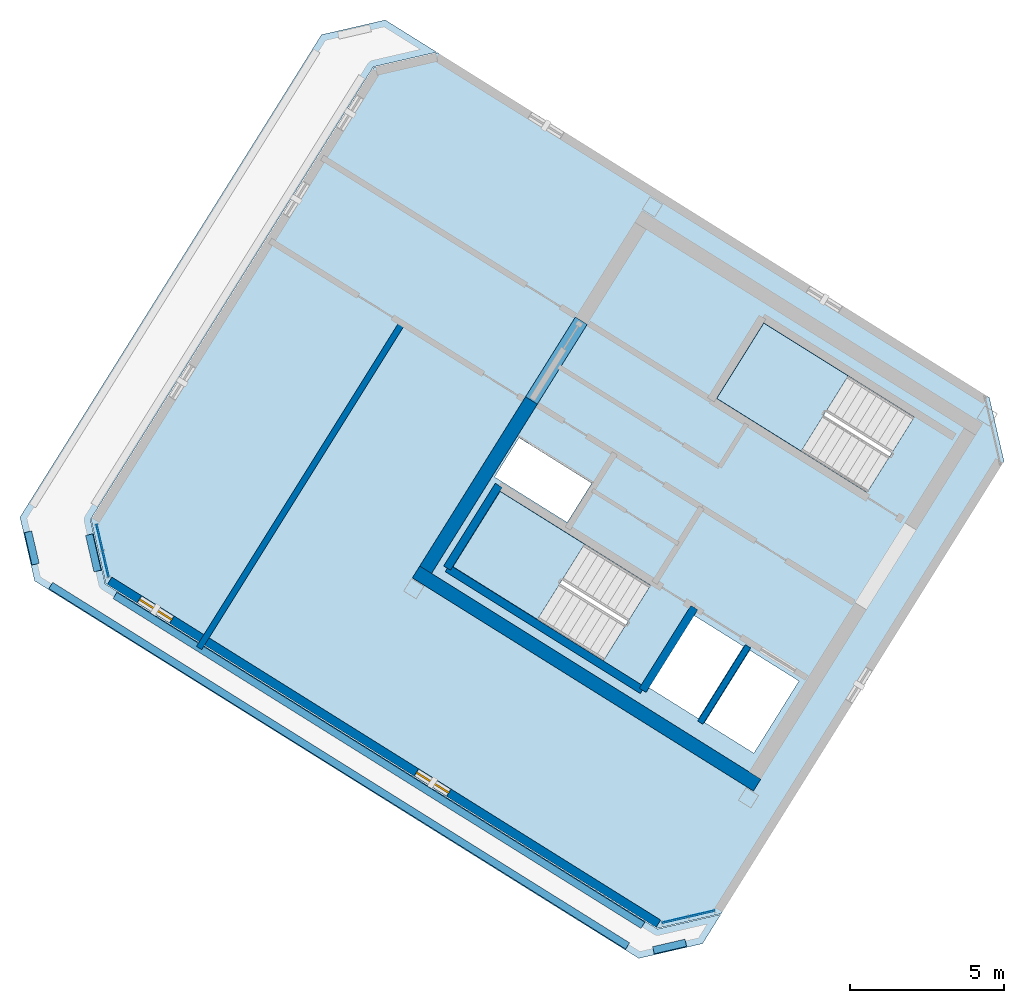
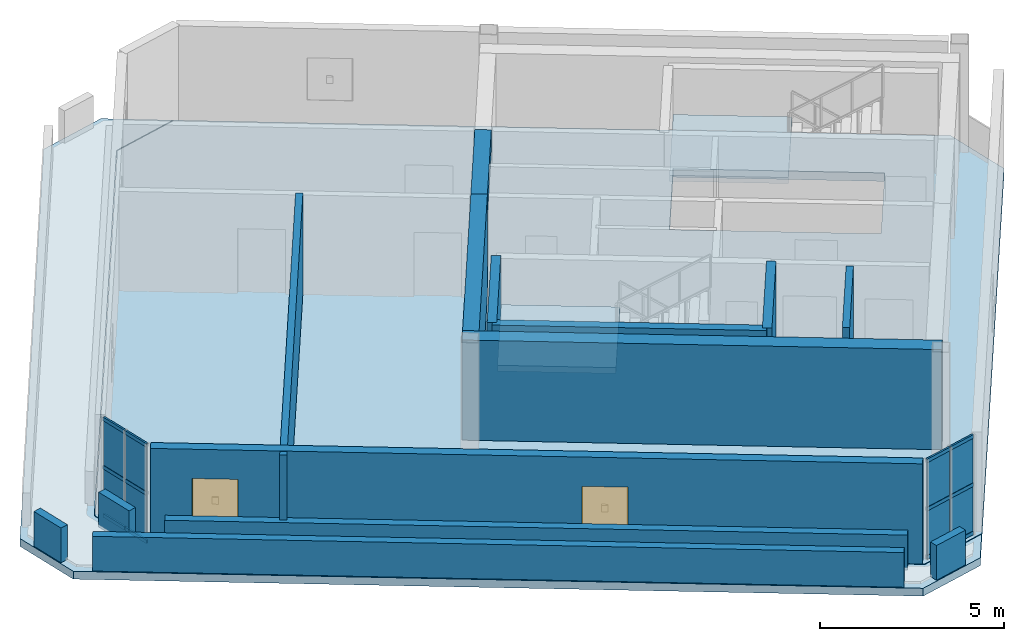
# One storey, part 4 of 8: 13 walls, 12 members, 8 plates, 4 slabs, 2 windows, 1 beam, 2 openings, 4 elements without a shape of their own.
"""IFC4 building model written with IfcOpenShell, lengths in metres."""

from ifc_helpers import new_model, si_unit, direction, frame, frame_2d, origin, origin_2d, place, context, subcontext, project, spatial, polyline, rectangle, hollow_rectangle, outline, extrude, source, transform, mapped, material, layer, layer_set, material_profile, profile_set, type_object, element, fill, aggregate, save


model = new_model("IFC4")

# Units and contexts
model_context = context("Model", 3, precision=1e-05, world=origin(), true_north=direction((0.0, 1.0)))
body_context = subcontext(model_context, "Body", "Model", "MODEL_VIEW")
ifc_project = project(units=[si_unit("LENGTHUNIT", "METRE"), si_unit("AREAUNIT", "SQUARE_METRE"), si_unit("VOLUMEUNIT", "CUBIC_METRE"), si_unit("PLANEANGLEUNIT", "RADIAN"), si_unit("MASSUNIT", "GRAM", prefix="KILO")], contexts=[model_context])

# Site, building, storey
site_placement = place(None, origin())
site = spatial("IfcSite", under=ifc_project, at=site_placement, CompositionType="ELEMENT")
building_placement = place(site_placement, origin())
building = spatial("IfcBuilding", under=site, at=building_placement, Name="Tlacorven Tower", CompositionType="ELEMENT")
storey_placement = place(building_placement, frame((0.0, 0.0, 302.39990234375)))
storey = spatial("IfcBuildingStorey", under=building, at=storey_placement, Name="L77", CompositionType="ELEMENT", Elevation=302.39990234375)

# Beam
ifc_material_1 = material(Name="Concrete C60/75", Category="concrete")
ifc_material_profile_1 = material_profile(ifc_material_1, rectangle(XDim=0.449951171875, YDim=0.699951171875, at=origin_2d()), Name="RC 450X700")
ifc_profile_set_1 = profile_set([ifc_material_profile_1], Name="Concrete C60/75")
beam_type = type_object("IfcBeamType", Name="BM-LNT-700", PredefinedType="LINTEL", material=ifc_profile_set_1)
shared_shape_1 = source(origin(), body_context, "Body", "SweptSolid", [
    extrude(rectangle(XDim=0.449951171875, YDim=0.699951171875, at=origin_2d()), origin(), (0.0, 0.0, 1.0), 3.0498046875),
])
beam_placement = place(storey_placement, frame((27.622802734375, 27.562255859375, 2.97021484375), z_axis=(-0.529926983584, -0.848043272522, 0.0), x_axis=(0.848043272522, -0.529926983584, 0.0)))
element("IfcBeam", 1, at=beam_placement, inside=storey, type_object=beam_type, Name="L77 W core coupling lintel beam E2", PredefinedType="LINTEL", context=body_context, shape_type="MappedRepresentation", body=[
    mapped(shared_shape_1, transform((0.0, 0.0, 0.0), scale=1.0)),
])

# Curtain wall, members
ifc_material_2 = material(Name="Dark solar low-E double glazing in aluminium frame", Category="aluminium")
curtain_wall_type = type_object("IfcCurtainWallType", Name="CW-CRN-LANTERN", PredefinedType="USERDEFINED", material=ifc_material_2)
curtain_wall_1_placement = place(storey_placement, origin())
curtain_wall_1 = element("IfcCurtainWall", 2, at=curtain_wall_1_placement, inside=storey, type_object=curtain_wall_type, Name="L77 CW-CRN-LANTERN Curtain Wall 357", ObjectType="UNITISED CURTAIN WALL", PredefinedType="USERDEFINED")
ifc_material_3 = material(Name="Aluminium 6063-T6 anodised", Category="aluminium")
ifc_material_profile_2 = material_profile(ifc_material_3, hollow_rectangle(XDim=0.054931640625, YDim=0.1201171875, WallThickness=0.00341796875, at=origin_2d()), Name="ALU TRANSOM 55X120")
ifc_profile_set_2 = profile_set([ifc_material_profile_2], Name="Aluminium 6063-T6 anodised")
member_type = type_object("IfcMemberType", Name="CWT-03", PredefinedType="USERDEFINED", material=ifc_profile_set_2)
shared_shape_2 = source(origin(), body_context, "Body", "SweptSolid", [
    extrude(hollow_rectangle(XDim=0.054931640625, YDim=0.1201171875, WallThickness=0.00341796875, at=origin_2d()), origin(), (0.0, 0.0, 1.0), 0.84423828125),
])
member_1_placement = place(storey_placement, frame((31.08349609375, 8.228759765625, 0.06005859375), z_axis=(-0.974357063896, -0.225007359962, 0.0), x_axis=(0.225007359962, -0.974357063896, 0.0)))
member_1 = element("IfcMember", 3, at=member_1_placement, type_object=member_type, Name="CW-L77-357 Transom 4", ObjectType="TRANSOM", PredefinedType="USERDEFINED", context=body_context, shape_type="MappedRepresentation", body=[
    mapped(shared_shape_2, transform((0.0, 0.0, 0.0), scale=1.0)),
])
member_2_placement = place(storey_placement, frame((31.08349609375, 8.228759765625, 1.66015625), z_axis=(-0.974357063896, -0.225007359962, 0.0), x_axis=(0.225007359962, -0.974357063896, 0.0)))
member_2 = element("IfcMember", 4, at=member_2_placement, type_object=member_type, Name="CW-L77-357 Transom 5", ObjectType="TRANSOM", PredefinedType="USERDEFINED", context=body_context, shape_type="MappedRepresentation", body=[
    mapped(shared_shape_2, transform((0.0, 0.0, 0.0), scale=1.0)),
])
member_3_placement = place(storey_placement, frame((31.08349609375, 8.228759765625, 3.260009765625), z_axis=(-0.974357063896, -0.225007359962, 0.0), x_axis=(0.225007359962, -0.974357063896, 0.0)))
member_3 = element("IfcMember", 5, at=member_3_placement, type_object=member_type, Name="CW-L77-357 Transom 6", ObjectType="TRANSOM", PredefinedType="USERDEFINED", context=body_context, shape_type="MappedRepresentation", body=[
    mapped(shared_shape_2, transform((0.0, 0.0, 0.0), scale=1.0)),
])

curtain_wall_2_placement = place(storey_placement, origin())
curtain_wall_2 = element("IfcCurtainWall", 6, at=curtain_wall_2_placement, inside=storey, type_object=curtain_wall_type, Name="L77 CW-CRN-LANTERN Curtain Wall 358", ObjectType="UNITISED CURTAIN WALL", PredefinedType="USERDEFINED")
member_4_placement = place(storey_placement, frame((12.2939453125, 19.265869140625, 0.06005859375), z_axis=(-0.225007359962, 0.974357063896, 0.0), x_axis=(-0.974357063896, -0.225007359962, 0.0)))
member_4 = element("IfcMember", 7, at=member_4_placement, type_object=member_type, Name="CW-L77-358 Transom 1", ObjectType="TRANSOM", PredefinedType="USERDEFINED", context=body_context, shape_type="MappedRepresentation", body=[
    mapped(shared_shape_2, transform((0.0, 0.0, 0.0), scale=1.0)),
])
member_5_placement = place(storey_placement, frame((12.2939453125, 19.265869140625, 1.66015625), z_axis=(-0.225007359962, 0.974357063896, 0.0), x_axis=(-0.974357063896, -0.225007359962, 0.0)))
member_5 = element("IfcMember", 8, at=member_5_placement, type_object=member_type, Name="CW-L77-358 Transom 2", ObjectType="TRANSOM", PredefinedType="USERDEFINED", context=body_context, shape_type="MappedRepresentation", body=[
    mapped(shared_shape_2, transform((0.0, 0.0, 0.0), scale=1.0)),
])
member_6_placement = place(storey_placement, frame((12.2939453125, 19.265869140625, 3.260009765625), z_axis=(-0.225007359962, 0.974357063896, 0.0), x_axis=(-0.974357063896, -0.225007359962, 0.0)))
member_6 = element("IfcMember", 9, at=member_6_placement, type_object=member_type, Name="CW-L77-358 Transom 3", ObjectType="TRANSOM", PredefinedType="USERDEFINED", context=body_context, shape_type="MappedRepresentation", body=[
    mapped(shared_shape_2, transform((0.0, 0.0, 0.0), scale=1.0)),
])
member_7_placement = place(storey_placement, frame((12.09716796875, 20.11865234375, 0.06005859375), z_axis=(-0.225007359962, 0.974357063896, 0.0), x_axis=(-0.974357063896, -0.225007359962, 0.0)))
member_7 = element("IfcMember", 10, at=member_7_placement, type_object=member_type, Name="CW-L77-358 Transom 4", ObjectType="TRANSOM", PredefinedType="USERDEFINED", context=body_context, shape_type="MappedRepresentation", body=[
    mapped(shared_shape_2, transform((0.0, 0.0, 0.0), scale=1.0)),
])
member_8_placement = place(storey_placement, frame((12.09716796875, 20.11865234375, 1.66015625), z_axis=(-0.225007359962, 0.974357063896, 0.0), x_axis=(-0.974357063896, -0.225007359962, 0.0)))
member_8 = element("IfcMember", 11, at=member_8_placement, type_object=member_type, Name="CW-L77-358 Transom 5", ObjectType="TRANSOM", PredefinedType="USERDEFINED", context=body_context, shape_type="MappedRepresentation", body=[
    mapped(shared_shape_2, transform((0.0, 0.0, 0.0), scale=1.0)),
])
member_9_placement = place(storey_placement, frame((12.09716796875, 20.11865234375, 3.260009765625), z_axis=(-0.225007359962, 0.974357063896, 0.0), x_axis=(-0.974357063896, -0.225007359962, 0.0)))
member_9 = element("IfcMember", 12, at=member_9_placement, type_object=member_type, Name="CW-L77-358 Transom 6", ObjectType="TRANSOM", PredefinedType="USERDEFINED", context=body_context, shape_type="MappedRepresentation", body=[
    mapped(shared_shape_2, transform((0.0, 0.0, 0.0), scale=1.0)),
])

# Member
shared_shape_3 = source(origin(), body_context, "Body", "SweptSolid", [
    extrude(hollow_rectangle(XDim=0.054931640625, YDim=0.1201171875, WallThickness=0.00341796875, at=origin_2d()), origin(), (0.0, 0.0, 1.0), 0.844482421875),
])
member_10_placement = place(storey_placement, frame((31.936279296875, 8.425537109375, 0.06005859375), z_axis=(-0.974371700052, -0.22494397111, 0.0), x_axis=(0.22494397111, -0.974371700052, 0.0)))
member_10 = element("IfcMember", 13, at=member_10_placement, type_object=member_type, Name="CW-L77-357 Transom 1", ObjectType="TRANSOM", PredefinedType="USERDEFINED", context=body_context, shape_type="MappedRepresentation", body=[
    mapped(shared_shape_3, transform((0.0, 0.0, 0.0), scale=1.0)),
])

member_11_placement = place(storey_placement, frame((31.936279296875, 8.425537109375, 1.66015625), z_axis=(-0.974371700052, -0.22494397111, 0.0), x_axis=(0.22494397111, -0.974371700052, 0.0)))
member_11 = element("IfcMember", 14, at=member_11_placement, type_object=member_type, Name="CW-L77-357 Transom 2", ObjectType="TRANSOM", PredefinedType="USERDEFINED", context=body_context, shape_type="MappedRepresentation", body=[
    mapped(shared_shape_3, transform((0.0, 0.0, 0.0), scale=1.0)),
])

member_12_placement = place(storey_placement, frame((31.936279296875, 8.425537109375, 3.260009765625), z_axis=(-0.974371700052, -0.22494397111, 0.0), x_axis=(0.22494397111, -0.974371700052, 0.0)))
member_12 = element("IfcMember", 15, at=member_12_placement, type_object=member_type, Name="CW-L77-357 Transom 3", ObjectType="TRANSOM", PredefinedType="USERDEFINED", context=body_context, shape_type="MappedRepresentation", body=[
    mapped(shared_shape_3, transform((0.0, 0.0, 0.0), scale=1.0)),
])

# Stair, slab
ifc_material_4 = material(Name="Concrete C40/50", Category="concrete")
stair_type = type_object("IfcStairType", Name="ST-CORE-DLG", PredefinedType="HALF_TURN_STAIR", material=ifc_material_4)
stair_1_placement = place(storey_placement, origin())
stair_1 = element("IfcStair", 16, at=stair_1_placement, inside=storey, type_object=stair_type, Name="L77 Protected Exit Stair West 1", PredefinedType="HALF_TURN_STAIR")
ifc_layer_1 = layer(ifc_material_4, 0.199951171875)
ifc_layer_set_1 = layer_set([ifc_layer_1], Name="Concrete C40/50")
slab_type_1 = type_object("IfcSlabType", Name="SL-LND-200", PredefinedType="LANDING", material=ifc_layer_set_1)
slab_1_placement = place(storey_placement, frame((0.0, 0.0, 1.60009765625)))
slab_1 = element("IfcSlab", 17, at=slab_1_placement, type_object=slab_type_1, Name="ST-W1 landing 1", PredefinedType="LANDING", context=body_context, shape_type="SweptSolid", body=[
    extrude(outline(polyline([(27.728515625, 20.315185546875), (24.9892578125, 22.02685546875), (23.463134765625, 19.58447265625), (26.2021484375, 17.872802734375), (27.728515625, 20.315185546875)])), origin(), (0.0, 0.0, 1.0), 0.199951171875),
])
aggregate(stair_1, [slab_1])

stair_2_placement = place(storey_placement, origin())
stair_2 = element("IfcStair", 18, at=stair_2_placement, inside=storey, type_object=stair_type, Name="L77 Protected Exit Stair West 2", PredefinedType="HALF_TURN_STAIR")
slab_2_placement = place(storey_placement, frame((0.0, 0.0, 1.60009765625)))
slab_2 = element("IfcSlab", 19, at=slab_2_placement, type_object=slab_type_1, Name="ST-W2 landing 1", PredefinedType="LANDING", context=body_context, shape_type="SweptSolid", body=[
    extrude(outline(polyline([(36.280029296875, 25.772705078125), (33.540771484375, 27.484375), (32.0146484375, 25.0419921875), (34.75390625, 23.33056640625), (36.280029296875, 25.772705078125)])), origin(), (0.0, 0.0, 1.0), 0.199951171875),
])
aggregate(stair_2, [slab_2])

# Slabs
ifc_layer_2 = layer(ifc_material_4, 0.260009765625)
ifc_layer_set_2 = layer_set([ifc_layer_2], Name="Concrete C40/50")
slab_type_2 = type_object("IfcSlabType", Name="SL-ROF-260", PredefinedType="ROOF", material=ifc_layer_set_2)
slab_3_placement = place(storey_placement, frame((0.0, 0.0, -0.260009765625)))
element("IfcSlab", 20, at=slab_3_placement, inside=storey, type_object=slab_type_2, Name="L77 Stepped Crown Terrace Roof Cap 1", PredefinedType="ROOF", context=body_context, shape_type="SweptSolid", body=[
    extrude(outline(polyline([(31.55419921875, 7.359130859375), (29.487060546875, 6.882080078125), (9.897216796875, 19.123046875), (9.420166015625, 21.18994140625), (19.197021484375, 36.83642578125), (21.263916015625, 37.313720703125), (22.93603515625, 36.268798828125), (20.888671875, 35.796142578125), (20.88671875, 35.795654296875), (20.885009765625, 35.794921875), (20.88330078125, 35.7939453125), (20.881591796875, 35.79296875), (20.8798828125, 35.791748046875), (20.878662109375, 35.790283203125), (20.877197265625, 35.788818359375), (20.876220703125, 35.787353515625), (11.70849609375, 21.115966796875), (11.70751953125, 21.1142578125), (11.706787109375, 21.112548828125), (11.706298828125, 21.110595703125), (11.705810546875, 21.10888671875), (11.70556640625, 21.10693359375), (11.70556640625, 21.10498046875), (11.705810546875, 21.102783203125), (11.7060546875, 21.10107421875), (12.183349609375, 19.033935546875), (12.183837890625, 19.0322265625), (12.1845703125, 19.0302734375), (12.185302734375, 19.028564453125), (12.1865234375, 19.02685546875), (12.187744140625, 19.025390625), (12.18896484375, 19.02392578125), (12.1904296875, 19.022705078125), (12.192138671875, 19.021484375), (30.0859375, 7.84033203125), (30.087646484375, 7.83935546875), (30.08935546875, 7.838623046875), (30.09130859375, 7.837890625), (30.09326171875, 7.83740234375), (30.09521484375, 7.837158203125), (30.09716796875, 7.837158203125), (30.09912109375, 7.83740234375), (30.10107421875, 7.837646484375), (32.1484375, 8.310546875), (31.55419921875, 7.359130859375)])), origin(), (0.0, 0.0, 1.0), 0.260009765625),
])
ifc_material_5 = material(Name="Concrete C50/60", Category="concrete")
ifc_layer_3 = layer(ifc_material_5, 0.280029296875)
ifc_layer_set_3 = layer_set([ifc_layer_3], Name="Concrete C50/60")
slab_type_3 = type_object("IfcSlabType", Name="SL-WND-280", PredefinedType="FLOOR", material=ifc_layer_set_3)
slab_4_placement = place(storey_placement, frame((0.0, 0.0, -0.27978515625)))
element("IfcSlab", 21, at=slab_4_placement, inside=storey, type_object=slab_type_3, Name="L77 Stepped Crown Tier 2 Floor Slab", PredefinedType="FLOOR", context=body_context, shape_type="SweptSolid", body=[
    extrude(outline(polyline([(40.85400390625, 25.072509765625), (22.960205078125, 36.25390625), (20.89306640625, 35.776611328125), (11.7255859375, 21.10546875), (12.20263671875, 19.03857421875), (30.0966796875, 7.857177734375), (32.16357421875, 8.33447265625), (41.3310546875, 23.005615234375), (40.85400390625, 25.072509765625)]), holes=[polyline([(29.865478515625, 18.979736328125), (24.9892578125, 22.02685546875), (23.463134765625, 19.58447265625), (28.33935546875, 16.537353515625), (29.865478515625, 18.979736328125)]), polyline([(38.4169921875, 24.4375), (33.540771484375, 27.484375), (32.0146484375, 25.0419921875), (36.890869140625, 21.9951171875), (38.4169921875, 24.4375)]), polyline([(34.682373046875, 15.87548828125), (33.088134765625, 16.871826171875), (31.62548828125, 14.531005859375), (33.2197265625, 13.534912109375), (34.682373046875, 15.87548828125)]), polyline([(32.884521484375, 16.9990234375), (31.2392578125, 18.02685546875), (29.77685546875, 15.686279296875), (31.421875, 14.658203125), (32.884521484375, 16.9990234375)]), polyline([(27.96142578125, 22.2919921875), (25.603759765625, 23.76513671875), (24.80908203125, 22.4931640625), (27.16650390625, 21.02001953125), (27.96142578125, 22.2919921875)])]), origin(), (0.0, 0.0, 1.0), 0.27978515625),
])

# Plate
ifc_material_6 = material(Name="Crown dark solar fritted low-E glazing", Category="glass")
ifc_layer_4 = layer(ifc_material_6, 0.02392578125)
ifc_layer_set_4 = layer_set([ifc_layer_4], Name="Crown dark solar fritted low-E glazing")
plate_type = type_object("IfcPlateType", Name="CWP-04", PredefinedType="CURTAIN_PANEL", material=ifc_layer_set_4)
shared_shape_4 = source(origin(), body_context, "Body", "SweptSolid", [
    extrude(rectangle(XDim=0.838134765625, YDim=0.02392578125, at=origin_2d()), origin(), (0.0, 0.0, 1.0), 1.55810546875),
])
plate_1_placement = place(storey_placement, frame((31.52490234375, 8.33056640625, 0.051025390625), z_axis=(0.0, 0.0, 1.0), x_axis=(-0.97437037555, -0.22494970827, 0.0)))
plate_1 = element("IfcPlate", 22, at=plate_1_placement, type_object=plate_type, Name="CW-L77-357 Glazing Panel 1", PredefinedType="CURTAIN_PANEL", context=body_context, shape_type="MappedRepresentation", body=[
    mapped(shared_shape_4, transform((0.0, 0.0, 0.0), scale=1.0)),
])

plate_2_placement = place(storey_placement, frame((31.52490234375, 8.33056640625, 1.7109375), z_axis=(0.0, 0.0, 1.0), x_axis=(-0.97437037555, -0.22494970827, 0.0)))
plate_2 = element("IfcPlate", 23, at=plate_2_placement, type_object=plate_type, Name="CW-L77-357 Glazing Panel 2", PredefinedType="CURTAIN_PANEL", context=body_context, shape_type="MappedRepresentation", body=[
    mapped(shared_shape_4, transform((0.0, 0.0, 0.0), scale=1.0)),
])

plate_3_placement = place(storey_placement, frame((30.672119140625, 8.1337890625, 0.051025390625), z_axis=(0.0, 0.0, 1.0), x_axis=(-0.97437037555, -0.22494970827, 0.0)))
plate_3 = element("IfcPlate", 24, at=plate_3_placement, type_object=plate_type, Name="CW-L77-357 Glazing Panel 3", PredefinedType="CURTAIN_PANEL", context=body_context, shape_type="MappedRepresentation", body=[
    mapped(shared_shape_4, transform((0.0, 0.0, 0.0), scale=1.0)),
])

plate_4_placement = place(storey_placement, frame((30.672119140625, 8.1337890625, 1.7109375), z_axis=(0.0, 0.0, 1.0), x_axis=(-0.97437037555, -0.22494970827, 0.0)))
plate_4 = element("IfcPlate", 25, at=plate_4_placement, type_object=plate_type, Name="CW-L77-357 Glazing Panel 4", PredefinedType="CURTAIN_PANEL", context=body_context, shape_type="MappedRepresentation", body=[
    mapped(shared_shape_4, transform((0.0, 0.0, 0.0), scale=1.0)),
])

aggregate(curtain_wall_1, [member_10, member_11, member_12, plate_1, plate_2, member_1, member_2, member_3, plate_3, plate_4])

plate_5_placement = place(storey_placement, frame((12.198974609375, 19.677001953125, 0.051025390625), z_axis=(0.0, 0.0, 1.0), x_axis=(-0.22494970827, 0.97437037555, 0.0)))
plate_5 = element("IfcPlate", 26, at=plate_5_placement, type_object=plate_type, Name="CW-L77-358 Glazing Panel 1", PredefinedType="CURTAIN_PANEL", context=body_context, shape_type="MappedRepresentation", body=[
    mapped(shared_shape_4, transform((0.0, 0.0, 0.0), scale=1.0)),
])

plate_6_placement = place(storey_placement, frame((12.198974609375, 19.677001953125, 1.7109375), z_axis=(0.0, 0.0, 1.0), x_axis=(-0.22494970827, 0.97437037555, 0.0)))
plate_6 = element("IfcPlate", 27, at=plate_6_placement, type_object=plate_type, Name="CW-L77-358 Glazing Panel 2", PredefinedType="CURTAIN_PANEL", context=body_context, shape_type="MappedRepresentation", body=[
    mapped(shared_shape_4, transform((0.0, 0.0, 0.0), scale=1.0)),
])

plate_7_placement = place(storey_placement, frame((12.002197265625, 20.52978515625, 0.051025390625), z_axis=(0.0, 0.0, 1.0), x_axis=(-0.22494970827, 0.97437037555, 0.0)))
plate_7 = element("IfcPlate", 28, at=plate_7_placement, type_object=plate_type, Name="CW-L77-358 Glazing Panel 3", PredefinedType="CURTAIN_PANEL", context=body_context, shape_type="MappedRepresentation", body=[
    mapped(shared_shape_4, transform((0.0, 0.0, 0.0), scale=1.0)),
])

plate_8_placement = place(storey_placement, frame((12.002197265625, 20.52978515625, 1.7109375), z_axis=(0.0, 0.0, 1.0), x_axis=(-0.22494970827, 0.97437037555, 0.0)))
plate_8 = element("IfcPlate", 29, at=plate_8_placement, type_object=plate_type, Name="CW-L77-358 Glazing Panel 4", PredefinedType="CURTAIN_PANEL", context=body_context, shape_type="MappedRepresentation", body=[
    mapped(shared_shape_4, transform((0.0, 0.0, 0.0), scale=1.0)),
])

aggregate(curtain_wall_2, [member_4, member_5, member_6, plate_5, plate_6, member_7, member_8, member_9, plate_7, plate_8])

# Walls
ifc_layer_5 = layer(ifc_material_5, 0.449951171875)
ifc_layer_set_5 = layer_set([ifc_layer_5], Name="Concrete C50/60")
wall_type_1 = type_object("IfcWallType", Name="WL-COR-450", PredefinedType="SHEAR", material=ifc_layer_set_5)
wall_1_placement = place(storey_placement, frame((33.32373046875, 12.5029296875, 0.0), z_axis=(0.0, 0.0, 1.0), x_axis=(-0.848043529849, 0.529926571782, 0.0)))
element("IfcWall", 30, at=wall_1_placement, inside=storey, type_object=wall_type_1, Name="L77 W core shear wall S2", PredefinedType="SHEAR", context=body_context, shape_type="SweptSolid", body=[
    extrude(rectangle(XDim=13.039794921875, YDim=0.449951171875, at=frame_2d((6.52001953125, 0.0))), origin(), (0.0, 0.0, 1.0), 3.320068359375),
])
wall_2_placement = place(storey_placement, frame((26.006591796875, 24.975830078125, 0.0), z_axis=(0.0, 0.0, 1.0), x_axis=(-0.529931155655, -0.848040665456, 0.0)))
element("IfcWall", 31, at=wall_2_placement, inside=storey, type_object=wall_type_1, Name="L77 W core end wall E2.2", PredefinedType="SHEAR", context=body_context, shape_type="SweptSolid", body=[
    extrude(rectangle(XDim=6.47509765625, YDim=0.449951171875, at=frame_2d((3.237548828125, 0.0))), origin(), (0.0, 0.0, 1.0), 3.320068359375),
])

# Wall, openings, windows
ifc_material_7 = material(Name="Precast concrete C45/55", Category="concrete")
ifc_layer_6 = layer(ifc_material_7, 0.280029296875)
ifc_layer_set_6 = layer_set([ifc_layer_6], Name="Precast concrete C45/55")
wall_type_2 = type_object("IfcWallType", Name="WL-EXT-280", PredefinedType="STANDARD", material=ifc_layer_set_6)
wall_3_placement = place(storey_placement, frame((30.12158203125, 8.006591796875, 0.0), z_axis=(0.0, 0.0, 1.0), x_axis=(-0.848046669074, 0.529921548036, 0.0)))
wall_3 = element("IfcWall", 32, at=wall_3_placement, inside=storey, type_object=wall_type_2, Name="L77 Masonry-Frame Recessed Facade Wall 2", PredefinedType="STANDARD", context=body_context, shape_type="SweptSolid", body=[
    extrude(rectangle(XDim=20.98388671875, YDim=0.280029296875, at=frame_2d((10.491943359375, 0.0))), origin(), (0.0, 0.0, 1.0), 3.320068359375),
])
opening_1_placement = place(wall_3_placement, frame((8.008544921875, 0.0, 0.949951171875)))
opening_1 = element("IfcOpeningElement", 33, at=opening_1_placement, cuts=wall_3, Name="Opening WN20", PredefinedType="OPENING", context=body_context, shape_type="SweptSolid", body=[
    extrude(rectangle(XDim=1.25, YDim=1.39990234375, at=frame_2d((0.625, 0.699951171875))), frame((0.0, 0.14990234375, 0.0), z_axis=(0.0, -1.0, 0.0), x_axis=(1.0, 0.0, 0.0)), (0.0, 0.0, 1.0), 0.300048828125),
])
opening_2_placement = place(wall_3_placement, frame((18.6005859375, 0.0, 0.949951171875)))
opening_2 = element("IfcOpeningElement", 34, at=opening_2_placement, cuts=wall_3, Name="Opening WN20", PredefinedType="OPENING", context=body_context, shape_type="SweptSolid", body=[
    extrude(rectangle(XDim=1.25, YDim=1.39990234375, at=frame_2d((0.625, 0.699951171875))), frame((0.0, 0.14990234375, 0.0), z_axis=(0.0, -1.0, 0.0), x_axis=(1.0, 0.0, 0.0)), (0.0, 0.0, 1.0), 0.300048828125),
])
ifc_material_8 = material(Name="Dark solar low-E double glazing in anodised aluminium frame", Category="aluminium")
window_type = type_object("IfcWindowType", Name="WN-CRN-1250X1500", PartitioningType="SINGLE_PANEL", PredefinedType="WINDOW", material=ifc_material_8)
shared_shape_5 = source(origin(), body_context, "Body", "SweptSolid", [
    extrude(rectangle(XDim=1.25, YDim=1.39990234375, at=frame_2d((0.625, 0.699951171875))), frame((0.0, 0.030029296875, 0.0), z_axis=(0.0, -1.0, 0.0), x_axis=(1.0, 0.0, 0.0)), (0.0, 0.0, 1.0), 0.06005859375),
])
window_1_placement = place(opening_1_placement, origin())
window_1 = element("IfcWindow", 35, at=window_1_placement, inside=storey, type_object=window_type, Name="L77 Acoustic Plant Facade Window 2.1", OverallHeight=1.39990234375, OverallWidth=1.25, PartitioningType="SINGLE_PANEL", PredefinedType="WINDOW", context=body_context, shape_type="MappedRepresentation", body=[
    mapped(shared_shape_5, transform((0.0, 0.0, 0.0), scale=1.0)),
])
fill(opening_1, window_1)
window_2_placement = place(opening_2_placement, origin())
window_2 = element("IfcWindow", 36, at=window_2_placement, inside=storey, type_object=window_type, Name="L77 Acoustic Plant Facade Window 2.2", OverallHeight=1.39990234375, OverallWidth=1.25, PartitioningType="SINGLE_PANEL", PredefinedType="WINDOW", context=body_context, shape_type="MappedRepresentation", body=[
    mapped(shared_shape_5, transform((0.0, 0.0, 0.0), scale=1.0)),
])
fill(opening_2, window_2)

# Walls
ifc_layer_7 = layer(ifc_material_7, 0.239990234375)
ifc_layer_set_7 = layer_set([ifc_layer_7], Name="Precast concrete C45/55")
wall_type_3 = type_object("IfcWallType", Name="WL-PAR-240", PredefinedType="PARAPET", material=ifc_layer_set_7)
wall_4_placement = place(storey_placement, frame((31.01171875, 7.387939453125, 0.0), z_axis=(0.0, 0.0, 1.0), x_axis=(-0.974345337206, -0.225058134414, 0.0)))
element("IfcWall", 37, at=wall_4_placement, inside=storey, type_object=wall_type_3, Name="L77 Stepped Crown Terrace Parapet 1 1", PredefinedType="PARAPET", context=body_context, shape_type="SweptSolid", body=[
    extrude(rectangle(XDim=1.0771484375, YDim=0.239990234375, at=frame_2d((0.53857421875, 0.0))), origin(), (0.0, 0.0, 1.0), 1.150146484375),
])
wall_5_placement = place(storey_placement, frame((29.123779296875, 7.285888671875, 0.0), z_axis=(0.0, 0.0, 1.0), x_axis=(-0.848048671495, 0.529918343499, 0.0)))
element("IfcWall", 38, at=wall_5_placement, inside=storey, type_object=wall_type_3, Name="L77 Stepped Crown Terrace Parapet 1 2", PredefinedType="PARAPET", context=body_context, shape_type="SweptSolid", body=[
    extrude(rectangle(XDim=22.0556640625, YDim=0.239990234375, at=frame_2d((11.02783203125, 0.0))), origin(), (0.0, 0.0, 1.0), 1.150146484375),
])
wall_6_placement = place(storey_placement, frame((9.926025390625, 19.66552734375, 0.0), z_axis=(0.0, 0.0, 1.0), x_axis=(-0.225058134414, 0.974345337206, 0.0)))
element("IfcWall", 39, at=wall_6_placement, inside=storey, type_object=wall_type_3, Name="L77 Stepped Crown Terrace Parapet 1 3", PredefinedType="PARAPET", context=body_context, shape_type="SweptSolid", body=[
    extrude(rectangle(XDim=1.0771484375, YDim=0.239990234375, at=frame_2d((0.53857421875, 0.0))), origin(), (0.0, 0.0, 1.0), 1.150146484375),
])
wall_7_placement = place(storey_placement, frame((11.66259765625, 20.622802734375, 0.0), z_axis=(0.0, 0.0, 1.0), x_axis=(0.224815250156, -0.974401407684, 0.0)))
element("IfcWall", 40, at=wall_7_placement, inside=storey, type_object=wall_type_3, Name="L77 Stepped Crown Terrace Parapet 1 7", PredefinedType="PARAPET", context=body_context, shape_type="SweptSolid", body=[
    extrude(rectangle(XDim=1.208740234375, YDim=0.239990234375, at=frame_2d((0.6044921875, 0.0))), origin(), (0.0, 0.0, 1.0), 1.150146484375),
])
wall_8_placement = place(storey_placement, frame((12.499755859375, 18.65234375, 0.0), z_axis=(0.0, 0.0, 1.0), x_axis=(0.848048578208, -0.529918492789, 0.0)))
element("IfcWall", 41, at=wall_8_placement, inside=storey, type_object=wall_type_3, Name="L77 Stepped Crown Terrace Parapet 1 8", PredefinedType="PARAPET", context=body_context, shape_type="SweptSolid", body=[
    extrude(rectangle(XDim=20.18701171875, YDim=0.239990234375, at=frame_2d((10.093505859375, 0.0))), origin(), (0.0, 0.0, 1.0), 1.150146484375),
])
ifc_layer_8 = layer(ifc_material_4, 0.199951171875)
ifc_layer_set_8 = layer_set([ifc_layer_8], Name="Concrete C40/50")
wall_type_4 = type_object("IfcWallType", Name="WL-SHF-200", PredefinedType="STANDARD", material=ifc_layer_set_8)
wall_9_placement = place(storey_placement, frame((33.02880859375, 17.003173828125, 0.0), z_axis=(0.0, 0.0, 1.0), x_axis=(-0.529916267533, -0.848049968695, 0.0)))
element("IfcWall", 42, at=wall_9_placement, inside=storey, type_object=wall_type_4, Name="L77 partition 13", PredefinedType="STANDARD", context=body_context, shape_type="SweptSolid", body=[
    extrude(rectangle(XDim=2.919921875, YDim=0.199951171875, at=frame_2d((1.4599609375, 0.0))), origin(), (0.0, 0.0, 1.0), 3.31005859375),
])
wall_10_placement = place(storey_placement, frame((21.810791015625, 27.479736328125, 0.0), z_axis=(0.0, 0.0, 1.0), x_axis=(-0.529917658534, -0.848049099506, 0.0)))
element("IfcWall", 43, at=wall_10_placement, inside=storey, type_object=wall_type_4, Name="L77 partition 20", PredefinedType="STANDARD", context=body_context, shape_type="SweptSolid", body=[
    extrude(rectangle(XDim=12.419921875, YDim=0.199951171875, at=frame_2d((6.2099609375, 0.0))), origin(), (0.0, 0.0, 1.0), 3.31005859375),
])
ifc_layer_9 = layer(ifc_material_5, 0.260009765625)
ifc_layer_set_9 = layer_set([ifc_layer_9], Name="Concrete C50/60")
wall_type_5 = type_object("IfcWallType", Name="WL-STW-260", PredefinedType="SHEAR", material=ifc_layer_set_9)
wall_11_placement = place(storey_placement, frame((29.60498046875, 15.581298828125, 0.0), z_axis=(0.0, 0.0, 1.0), x_axis=(-0.848036911448, 0.529937163087, 0.0)))
element("IfcWall", 44, at=wall_11_placement, inside=storey, type_object=wall_type_5, Name="L77 Stair W1 Far Shear Wall", PredefinedType="SHEAR", context=body_context, shape_type="SweptSolid", body=[
    extrude(rectangle(XDim=7.4599609375, YDim=0.260009765625, at=frame_2d((3.72998046875, 0.0))), origin(), (0.0, 0.0, 1.0), 3.320068359375),
])
wall_12_placement = place(storey_placement, frame((31.2880859375, 18.255859375, 0.0), z_axis=(0.0, 0.0, 1.0), x_axis=(-0.529943379326, -0.848033026897, 0.0)))
element("IfcWall", 45, at=wall_12_placement, inside=storey, type_object=wall_type_5, Name="L77 Stair W1 West Shear Wall", PredefinedType="SHEAR", context=body_context, shape_type="SweptSolid", body=[
    extrude(rectangle(XDim=3.159912109375, YDim=0.260009765625, at=frame_2d((1.580078125, 0.0))), origin(), (0.0, 0.0, 1.0), 3.320068359375),
])
wall_13_placement = place(storey_placement, frame((24.944580078125, 22.2197265625, 0.0), z_axis=(0.0, 0.0, 1.0), x_axis=(-0.529908658664, -0.84805472316, 0.0)))
element("IfcWall", 46, at=wall_13_placement, inside=storey, type_object=wall_type_5, Name="L77 Stair W1 East Shear Wall", PredefinedType="SHEAR", context=body_context, shape_type="SweptSolid", body=[
    extrude(rectangle(XDim=3.16015625, YDim=0.260009765625, at=frame_2d((1.580078125, 0.0))), origin(), (0.0, 0.0, 1.0), 3.320068359375),
])

save(model, "model.ifc")
